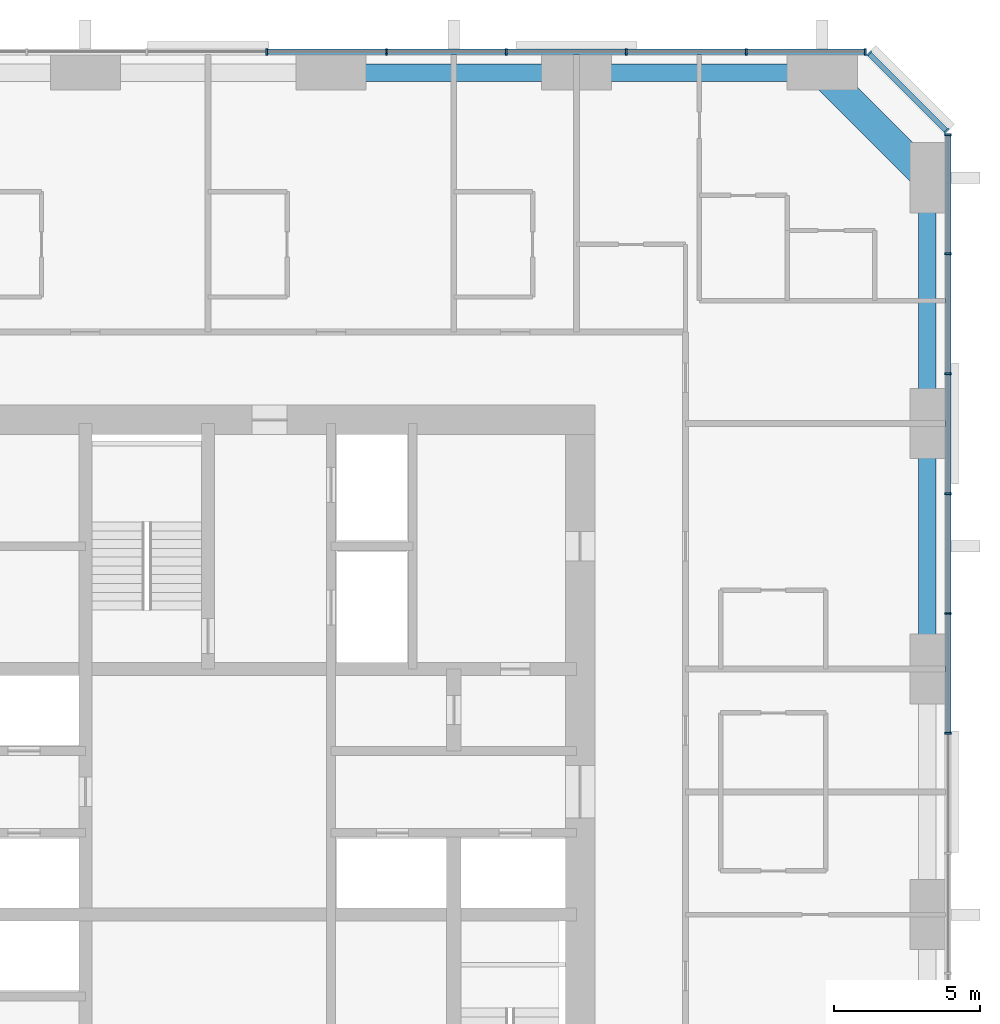
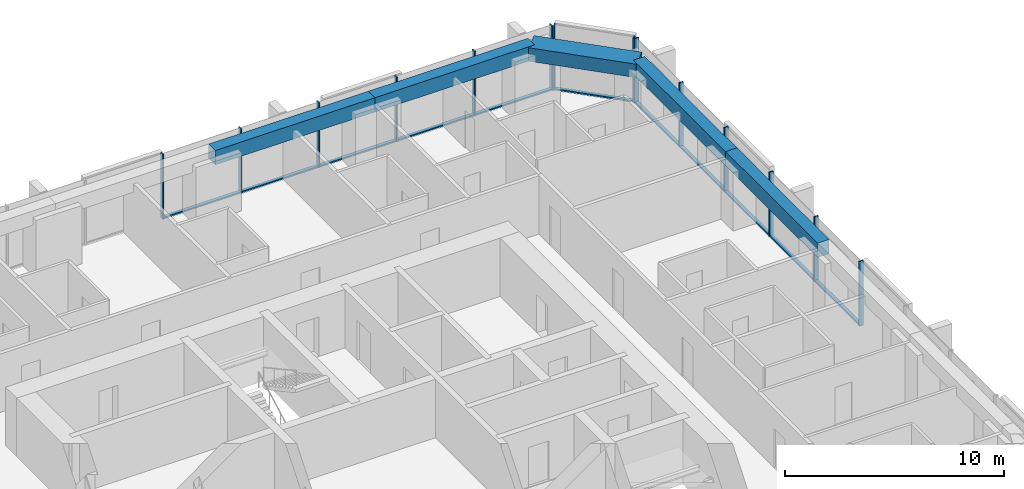
# One storey, part 6 of 14: 25 members, 5 beams, 3 elements without a shape of their own.
"""IFC4 building model written with IfcOpenShell, lengths in metres."""

from ifc_helpers import new_model, si_unit, direction, frame, origin, origin_2d, place, context, subcontext, project, spatial, rectangle, extrude, material, material_profile, profile_set, type_object, element, aggregate, save


model = new_model("IFC4")

# Units and contexts
model_context = context("Model", 3, precision=1e-05, world=origin(), true_north=direction((0.0, 1.0)))
body_context = subcontext(model_context, "Body", "Model", "MODEL_VIEW")
ifc_project = project(units=[si_unit("LENGTHUNIT", "METRE"), si_unit("AREAUNIT", "SQUARE_METRE"), si_unit("VOLUMEUNIT", "CUBIC_METRE"), si_unit("PLANEANGLEUNIT", "RADIAN"), si_unit("MASSUNIT", "GRAM", prefix="KILO")], contexts=[model_context])

# Site, building, storey
site_placement = place(None, origin())
site = spatial("IfcSite", under=ifc_project, at=site_placement, CompositionType="ELEMENT")
building_placement = place(site_placement, origin())
building = spatial("IfcBuilding", under=site, at=building_placement, Name="Dunama Terrace Hotel", CompositionType="ELEMENT")
storey_placement = place(building_placement, frame((0.0, 0.0, 136.800048828125)))
storey = spatial("IfcBuildingStorey", under=building, at=storey_placement, Name="L35", CompositionType="ELEMENT", Elevation=136.800048828125)

# Curtain wall, members
ifc_material_1 = material(Name="Aluminium curtain wall system", Category="aluminium")
curtain_wall_type = type_object("IfcCurtainWallType", Name="Unitised fritted glass wall CW-B", PredefinedType="NOTDEFINED", material=ifc_material_1)
curtain_wall_1_placement = place(storey_placement, origin())
curtain_wall_1 = element("IfcCurtainWall", 1, at=curtain_wall_1_placement, inside=storey, type_object=curtain_wall_type, Name="Unitised fritted glass wall CW-B L35", PredefinedType="NOTDEFINED")
ifc_material_2 = material(Name="Aluminium mullion", Category="aluminium")
ifc_material_profile_1 = material_profile(ifc_material_2, rectangle(XDim=0.06494140625, YDim=0.219970703125, at=origin_2d()), Name="CWB MULLION 65X220")
ifc_profile_set_1 = profile_set([ifc_material_profile_1], Name="Aluminium mullion")
member_type_1 = type_object("IfcMemberType", Name="CWB mullion 65x220", PredefinedType="MULLION", material=ifc_profile_set_1)
member_1_placement = place(storey_placement, frame((54.7099609375, 31.39990234375, 0.0), z_axis=(0.0, 0.0, 1.0), x_axis=(0.0, 1.0, 0.0)))
member_1 = element("IfcMember", 2, at=member_1_placement, type_object=member_type_1, Name="CWB mullion", PredefinedType="MULLION", context=body_context, shape_type="SweptSolid", body=[
    extrude(rectangle(XDim=0.06494140625, YDim=0.219970703125, at=origin_2d()), origin(), (0.0, 0.0, 1.0), 3.599853515625),
])
member_2_placement = place(storey_placement, frame((54.7099609375, 35.5, 0.0), z_axis=(0.0, 0.0, 1.0), x_axis=(0.0, 1.0, 0.0)))
member_2 = element("IfcMember", 3, at=member_2_placement, type_object=member_type_1, Name="CWB mullion", PredefinedType="MULLION", context=body_context, shape_type="SweptSolid", body=[
    extrude(rectangle(XDim=0.06494140625, YDim=0.219970703125, at=origin_2d()), origin(), (0.0, 0.0, 1.0), 3.599853515625),
])
member_3_placement = place(storey_placement, frame((54.7099609375, 39.60009765625, 0.0), z_axis=(0.0, 0.0, 1.0), x_axis=(0.0, 1.0, 0.0)))
member_3 = element("IfcMember", 4, at=member_3_placement, type_object=member_type_1, Name="CWB mullion", PredefinedType="MULLION", context=body_context, shape_type="SweptSolid", body=[
    extrude(rectangle(XDim=0.06494140625, YDim=0.219970703125, at=origin_2d()), origin(), (0.0, 0.0, 1.0), 3.599853515625),
])
member_4_placement = place(storey_placement, frame((54.7099609375, 43.699951171875, 0.0), z_axis=(0.0, 0.0, 1.0), x_axis=(0.0, 1.0, 0.0)))
member_4 = element("IfcMember", 5, at=member_4_placement, type_object=member_type_1, Name="CWB mullion", PredefinedType="MULLION", context=body_context, shape_type="SweptSolid", body=[
    extrude(rectangle(XDim=0.06494140625, YDim=0.219970703125, at=origin_2d()), origin(), (0.0, 0.0, 1.0), 3.599853515625),
])
member_5_placement = place(storey_placement, frame((54.7099609375, 47.800048828125, 0.0), z_axis=(0.0, 0.0, 1.0), x_axis=(0.0, 1.0, 0.0)))
member_5 = element("IfcMember", 6, at=member_5_placement, type_object=member_type_1, Name="CWB mullion", PredefinedType="MULLION", context=body_context, shape_type="SweptSolid", body=[
    extrude(rectangle(XDim=0.06494140625, YDim=0.219970703125, at=origin_2d()), origin(), (0.0, 0.0, 1.0), 3.599853515625),
])
member_6_placement = place(storey_placement, frame((54.7099609375, 51.866943359375, 0.0), z_axis=(0.0, 0.0, 1.0), x_axis=(0.0, 1.0, 0.0)))
member_6 = element("IfcMember", 7, at=member_6_placement, type_object=member_type_1, Name="CWB mullion", PredefinedType="MULLION", context=body_context, shape_type="SweptSolid", body=[
    extrude(rectangle(XDim=0.06494140625, YDim=0.219970703125, at=origin_2d()), origin(), (0.0, 0.0, 1.0), 3.599853515625),
])

curtain_wall_2_placement = place(storey_placement, origin())
curtain_wall_2 = element("IfcCurtainWall", 8, at=curtain_wall_2_placement, inside=storey, type_object=curtain_wall_type, Name="Unitised fritted glass wall CW-B L35", PredefinedType="NOTDEFINED")
member_7_placement = place(storey_placement, frame((54.655029296875, 52.0009765625, 0.0), z_axis=(0.0, 0.0, 1.0), x_axis=(-0.707106781187, 0.707106781187, 0.0)))
member_7 = element("IfcMember", 9, at=member_7_placement, type_object=member_type_1, Name="CWB mullion", PredefinedType="MULLION", context=body_context, shape_type="SweptSolid", body=[
    extrude(rectangle(XDim=0.06494140625, YDim=0.219970703125, at=origin_2d()), origin(), (0.0, 0.0, 1.0), 3.599853515625),
])
member_8_placement = place(storey_placement, frame((52.0009765625, 54.655029296875, 0.0), z_axis=(0.0, 0.0, 1.0), x_axis=(-0.707106781187, 0.707106781187, 0.0)))
member_8 = element("IfcMember", 10, at=member_8_placement, type_object=member_type_1, Name="CWB mullion", PredefinedType="MULLION", context=body_context, shape_type="SweptSolid", body=[
    extrude(rectangle(XDim=0.06494140625, YDim=0.219970703125, at=origin_2d()), origin(), (0.0, 0.0, 1.0), 3.599853515625),
])

curtain_wall_3_placement = place(storey_placement, origin())
curtain_wall_3 = element("IfcCurtainWall", 11, at=curtain_wall_3_placement, inside=storey, type_object=curtain_wall_type, Name="Unitised fritted glass wall CW-B L35", PredefinedType="NOTDEFINED")
member_9_placement = place(storey_placement, frame((51.866943359375, 54.7099609375, 0.0), z_axis=(0.0, 0.0, 1.0), x_axis=(-1.0, 0.0, 0.0)))
member_9 = element("IfcMember", 12, at=member_9_placement, type_object=member_type_1, Name="CWB mullion", PredefinedType="MULLION", context=body_context, shape_type="SweptSolid", body=[
    extrude(rectangle(XDim=0.06494140625, YDim=0.219970703125, at=origin_2d()), origin(), (0.0, 0.0, 1.0), 3.599853515625),
])
member_10_placement = place(storey_placement, frame((47.800048828125, 54.7099609375, 0.0), z_axis=(0.0, 0.0, 1.0), x_axis=(-1.0, 0.0, 0.0)))
member_10 = element("IfcMember", 13, at=member_10_placement, type_object=member_type_1, Name="CWB mullion", PredefinedType="MULLION", context=body_context, shape_type="SweptSolid", body=[
    extrude(rectangle(XDim=0.06494140625, YDim=0.219970703125, at=origin_2d()), origin(), (0.0, 0.0, 1.0), 3.599853515625),
])
member_11_placement = place(storey_placement, frame((43.699951171875, 54.7099609375, 0.0), z_axis=(0.0, 0.0, 1.0), x_axis=(-1.0, 0.0, 0.0)))
member_11 = element("IfcMember", 14, at=member_11_placement, type_object=member_type_1, Name="CWB mullion", PredefinedType="MULLION", context=body_context, shape_type="SweptSolid", body=[
    extrude(rectangle(XDim=0.06494140625, YDim=0.219970703125, at=origin_2d()), origin(), (0.0, 0.0, 1.0), 3.599853515625),
])
member_12_placement = place(storey_placement, frame((39.60009765625, 54.7099609375, 0.0), z_axis=(0.0, 0.0, 1.0), x_axis=(-1.0, 0.0, 0.0)))
member_12 = element("IfcMember", 15, at=member_12_placement, type_object=member_type_1, Name="CWB mullion", PredefinedType="MULLION", context=body_context, shape_type="SweptSolid", body=[
    extrude(rectangle(XDim=0.06494140625, YDim=0.219970703125, at=origin_2d()), origin(), (0.0, 0.0, 1.0), 3.599853515625),
])
member_13_placement = place(storey_placement, frame((35.5, 54.7099609375, 0.0), z_axis=(0.0, 0.0, 1.0), x_axis=(-1.0, 0.0, 0.0)))
member_13 = element("IfcMember", 16, at=member_13_placement, type_object=member_type_1, Name="CWB mullion", PredefinedType="MULLION", context=body_context, shape_type="SweptSolid", body=[
    extrude(rectangle(XDim=0.06494140625, YDim=0.219970703125, at=origin_2d()), origin(), (0.0, 0.0, 1.0), 3.599853515625),
])
member_14_placement = place(storey_placement, frame((31.39990234375, 54.7099609375, 0.0), z_axis=(0.0, 0.0, 1.0), x_axis=(-1.0, 0.0, 0.0)))
member_14 = element("IfcMember", 17, at=member_14_placement, type_object=member_type_1, Name="CWB mullion", PredefinedType="MULLION", context=body_context, shape_type="SweptSolid", body=[
    extrude(rectangle(XDim=0.06494140625, YDim=0.219970703125, at=origin_2d()), origin(), (0.0, 0.0, 1.0), 3.599853515625),
])

# Member
ifc_material_3 = material(Name="Aluminium transom", Category="aluminium")
ifc_material_profile_2 = material_profile(ifc_material_3, rectangle(XDim=0.179931640625, YDim=0.080078125, at=origin_2d()), Name="CWB TRANSOM 180X80")
ifc_profile_set_2 = profile_set([ifc_material_profile_2], Name="Aluminium transom")
member_type_2 = type_object("IfcMemberType", Name="CWB transom 180x80", PredefinedType="USERDEFINED", material=ifc_profile_set_2)
member_15_placement = place(storey_placement, frame((54.7099609375, 31.431884765625, 0.0400390625), z_axis=(0.0, 1.0, 0.0), x_axis=(-1.0, 0.0, 0.0)))
member_15 = element("IfcMember", 18, at=member_15_placement, type_object=member_type_2, Name="CWB transom", ObjectType="TRANSOM", PredefinedType="USERDEFINED", context=body_context, shape_type="SweptSolid", body=[
    extrude(rectangle(XDim=0.179931640625, YDim=0.080078125, at=origin_2d()), origin(), (0.0, 0.0, 1.0), 4.0361328125),
])

member_16_placement = place(storey_placement, frame((54.7099609375, 35.531982421875, 0.0400390625), z_axis=(0.0, 1.0, 0.0), x_axis=(-1.0, 0.0, 0.0)))
member_16 = element("IfcMember", 19, at=member_16_placement, type_object=member_type_2, Name="CWB transom", ObjectType="TRANSOM", PredefinedType="USERDEFINED", context=body_context, shape_type="SweptSolid", body=[
    extrude(rectangle(XDim=0.179931640625, YDim=0.080078125, at=origin_2d()), origin(), (0.0, 0.0, 1.0), 4.0361328125),
])

member_17_placement = place(storey_placement, frame((54.7099609375, 39.633056640625, 0.0400390625), z_axis=(0.0, 1.0, 0.0), x_axis=(-1.0, 0.0, 0.0)))
member_17 = element("IfcMember", 20, at=member_17_placement, type_object=member_type_2, Name="CWB transom", ObjectType="TRANSOM", PredefinedType="USERDEFINED", context=body_context, shape_type="SweptSolid", body=[
    extrude(rectangle(XDim=0.179931640625, YDim=0.080078125, at=origin_2d()), origin(), (0.0, 0.0, 1.0), 4.034912109375),
])

member_18_placement = place(storey_placement, frame((54.7099609375, 43.73291015625, 0.0400390625), z_axis=(0.0, 1.0, 0.0), x_axis=(-1.0, 0.0, 0.0)))
member_18 = element("IfcMember", 21, at=member_18_placement, type_object=member_type_2, Name="CWB transom", ObjectType="TRANSOM", PredefinedType="USERDEFINED", context=body_context, shape_type="SweptSolid", body=[
    extrude(rectangle(XDim=0.179931640625, YDim=0.080078125, at=origin_2d()), origin(), (0.0, 0.0, 1.0), 4.0341796875),
])

member_19_placement = place(storey_placement, frame((54.7099609375, 47.83203125, 0.0400390625), z_axis=(0.0, 1.0, 0.0), x_axis=(-1.0, 0.0, 0.0)))
member_19 = element("IfcMember", 22, at=member_19_placement, type_object=member_type_2, Name="CWB transom", ObjectType="TRANSOM", PredefinedType="USERDEFINED", context=body_context, shape_type="SweptSolid", body=[
    extrude(rectangle(XDim=0.179931640625, YDim=0.080078125, at=origin_2d()), origin(), (0.0, 0.0, 1.0), 4.0029296875),
])

aggregate(curtain_wall_1, [member_1, member_2, member_3, member_4, member_5, member_6, member_15, member_16, member_17, member_18, member_19])

member_20_placement = place(storey_placement, frame((54.632080078125, 52.02392578125, 0.0400390625), z_axis=(-0.707106781187, 0.707106781187, 0.0), x_axis=(-0.707106781187, -0.707106781187, 0.0)))
member_20 = element("IfcMember", 23, at=member_20_placement, type_object=member_type_2, Name="CWB transom", ObjectType="TRANSOM", PredefinedType="USERDEFINED", context=body_context, shape_type="SweptSolid", body=[
    extrude(rectangle(XDim=0.179931640625, YDim=0.080078125, at=origin_2d()), origin(), (0.0, 0.0, 1.0), 3.6884765625),
])

aggregate(curtain_wall_2, [member_7, member_8, member_20])

member_21_placement = place(storey_placement, frame((51.8349609375, 54.7099609375, 0.0400390625), z_axis=(-1.0, 0.0, 0.0), x_axis=(0.0, -1.0, 0.0)))
member_21 = element("IfcMember", 24, at=member_21_placement, type_object=member_type_2, Name="CWB transom", ObjectType="TRANSOM", PredefinedType="USERDEFINED", context=body_context, shape_type="SweptSolid", body=[
    extrude(rectangle(XDim=0.179931640625, YDim=0.080078125, at=origin_2d()), origin(), (0.0, 0.0, 1.0), 4.0029296875),
])

member_22_placement = place(storey_placement, frame((47.76708984375, 54.7099609375, 0.0400390625), z_axis=(-1.0, 0.0, 0.0), x_axis=(0.0, -1.0, 0.0)))
member_22 = element("IfcMember", 25, at=member_22_placement, type_object=member_type_2, Name="CWB transom", ObjectType="TRANSOM", PredefinedType="USERDEFINED", context=body_context, shape_type="SweptSolid", body=[
    extrude(rectangle(XDim=0.179931640625, YDim=0.080078125, at=origin_2d()), origin(), (0.0, 0.0, 1.0), 4.0341796875),
])

member_23_placement = place(storey_placement, frame((43.6669921875, 54.7099609375, 0.0400390625), z_axis=(-1.0, 0.0, 0.0), x_axis=(0.0, -1.0, 0.0)))
member_23 = element("IfcMember", 26, at=member_23_placement, type_object=member_type_2, Name="CWB transom", ObjectType="TRANSOM", PredefinedType="USERDEFINED", context=body_context, shape_type="SweptSolid", body=[
    extrude(rectangle(XDim=0.179931640625, YDim=0.080078125, at=origin_2d()), origin(), (0.0, 0.0, 1.0), 4.033935546875),
])

member_24_placement = place(storey_placement, frame((39.56689453125, 54.7099609375, 0.0400390625), z_axis=(-1.0, 0.0, 0.0), x_axis=(0.0, -1.0, 0.0)))
member_24 = element("IfcMember", 27, at=member_24_placement, type_object=member_type_2, Name="CWB transom", ObjectType="TRANSOM", PredefinedType="USERDEFINED", context=body_context, shape_type="SweptSolid", body=[
    extrude(rectangle(XDim=0.179931640625, YDim=0.080078125, at=origin_2d()), origin(), (0.0, 0.0, 1.0), 4.034912109375),
])

member_25_placement = place(storey_placement, frame((35.468017578125, 54.7099609375, 0.0400390625), z_axis=(-1.0, 0.0, 0.0), x_axis=(0.0, -1.0, 0.0)))
member_25 = element("IfcMember", 28, at=member_25_placement, type_object=member_type_2, Name="CWB transom", ObjectType="TRANSOM", PredefinedType="USERDEFINED", context=body_context, shape_type="SweptSolid", body=[
    extrude(rectangle(XDim=0.179931640625, YDim=0.080078125, at=origin_2d()), origin(), (0.0, 0.0, 1.0), 4.0361328125),
])

aggregate(curtain_wall_3, [member_9, member_10, member_11, member_12, member_13, member_14, member_21, member_22, member_23, member_24, member_25])

# Beams
ifc_material_4 = material(Name="Concrete C50/60", Category="concrete")
ifc_material_profile_3 = material_profile(ifc_material_4, rectangle(XDim=1.0, YDim=0.75, at=origin_2d()), Name="RC 1000x750")
ifc_profile_set_3 = profile_set([ifc_material_profile_3], Name="Concrete C50/60")
beam_type_1 = type_object("IfcBeamType", Name="Edge beam RC 1000x750", PredefinedType="SPANDREL", material=ifc_profile_set_3)
beam_placement = place(storey_placement, frame((50.39990234375, 54.0, 3.224853515625), z_axis=(0.707106781187, -0.707106781187, 0.0), x_axis=(0.707106781187, 0.707106781187, 0.0)))
element("IfcBeam", 29, at=beam_placement, inside=storey, type_object=beam_type_1, Name="Corner edge beam under L36", PredefinedType="SPANDREL", context=body_context, shape_type="SweptSolid", body=[
    extrude(rectangle(XDim=1.0, YDim=0.75, at=origin_2d()), origin(), (0.0, 0.0, 1.0), 5.09130859375),
])
ifc_material_5 = material(Name="Concrete C40/50", Category="concrete")
ifc_material_profile_4 = material_profile(ifc_material_5, rectangle(XDim=0.60009765625, YDim=0.800048828125, at=origin_2d()), Name="RC 600x800")
ifc_profile_set_4 = profile_set([ifc_material_profile_4], Name="Concrete C40/50")
beam_type_2 = type_object("IfcBeamType", Name="Edge beam RC 600x800", PredefinedType="SPANDREL", material=ifc_profile_set_4)
for number, where, z_axis, x_axis, name in (
    (30, (54.0, 33.60009765625, 3.199951171875), (0.0, 1.0, 0.0), (-1.0, 0.0, 0.0), "Edge beam under L36"),
    (31, (54.0, 42.0, 3.199951171875), (0.0, 1.0, 0.0), (-1.0, 0.0, 0.0), "Edge beam under L36"),
    (32, (33.60009765625, 54.0, 3.199951171875), (1.0, 0.0, 0.0), (0.0, 1.0, 0.0), "Edge beam under L36"),
    (33, (42.0, 54.0, 3.199951171875), (1.0, 0.0, 0.0), (0.0, 1.0, 0.0), "Edge beam under L36"),
):
    element("IfcBeam", number, at=place(storey_placement, frame(where, z_axis=z_axis, x_axis=x_axis)), inside=storey, type_object=beam_type_2, Name=name, PredefinedType="SPANDREL", context=body_context, shape_type="SweptSolid", body=[
        extrude(rectangle(XDim=0.60009765625, YDim=0.800048828125, at=origin_2d()), origin(), (0.0, 0.0, 1.0), 8.39990234375),
    ])

save(model, "model.ifc")
